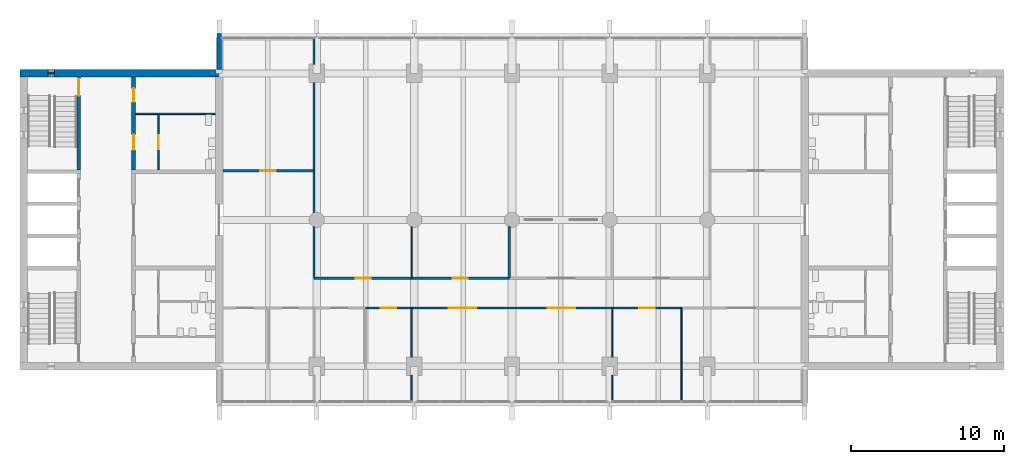
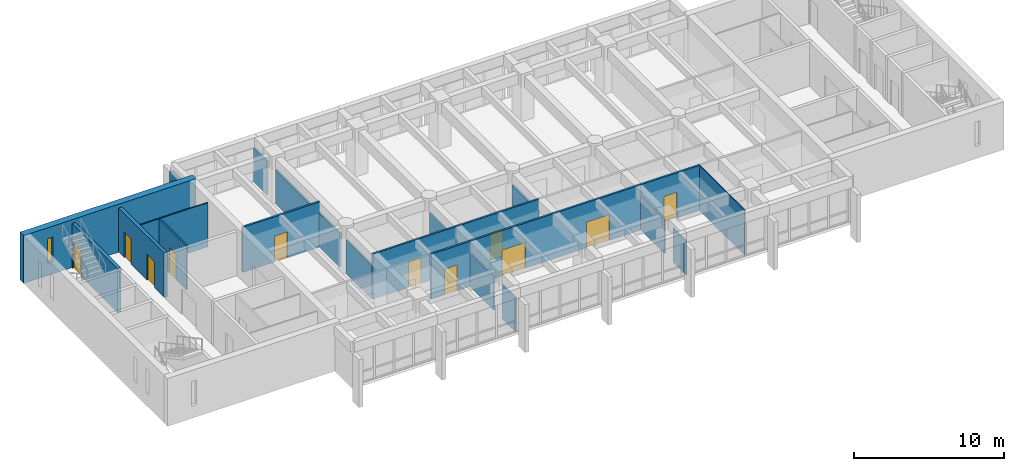
# One storey, part 10 of 15: 22 walls, 11 doors, 1 window, 12 openings.
"""IFC4 building model written with IfcOpenShell, lengths in metres."""

from ifc_helpers import new_model, si_unit, direction, frame, frame_2d, origin, place, context, subcontext, project, spatial, rectangle, extrude, material, layer, layer_set, type_object, element, fill, save


model = new_model("IFC4")

# Units and contexts
model_context = context("Model", 3, precision=1e-05, world=origin(), true_north=direction((0.0, 1.0)))
body_context = subcontext(model_context, "Body", "Model", "MODEL_VIEW")
ifc_project = project(units=[si_unit("LENGTHUNIT", "METRE"), si_unit("AREAUNIT", "SQUARE_METRE"), si_unit("VOLUMEUNIT", "CUBIC_METRE"), si_unit("PLANEANGLEUNIT", "RADIAN"), si_unit("MASSUNIT", "GRAM", prefix="KILO")], contexts=[model_context])

# Site, building, storey
site_placement = place(None, origin())
site = spatial("IfcSite", under=ifc_project, at=site_placement, CompositionType="ELEMENT")
building_placement = place(site_placement, origin())
building = spatial("IfcBuilding", under=site, at=building_placement, Name="Fogon Plaza Fire Station and Headquarters Tower", CompositionType="ELEMENT")
storey_placement = place(building_placement, frame((0.0, 0.0, 28.800048828125)))
storey = spatial("IfcBuildingStorey", under=building, at=storey_placement, Name="L07", CompositionType="ELEMENT", Elevation=28.800048828125)

# Wall, opening, door
ifc_material_1 = material(Name="Concrete C40", Category="concrete")
ifc_layer_1 = layer(ifc_material_1, 0.25)
ifc_layer_set_1 = layer_set([ifc_layer_1], Name="Concrete C40")
wall_type_1 = type_object("IfcWallType", Name="Core Wall RC 250", PredefinedType="SOLIDWALL", material=ifc_layer_set_1)
wall_1_placement = place(storey_placement, frame((16.39990234375, 46.47509765625, 0.0), z_axis=(0.0, 0.0, 1.0), x_axis=(0.0, 1.0, 0.0)))
wall_1 = element("IfcWall", 1, at=wall_1_placement, inside=storey, type_object=wall_type_1, Name="Core A shaft wall", PredefinedType="SOLIDWALL", context=body_context, shape_type="SweptSolid", body=[
    extrude(rectangle(XDim=6.074951171875, YDim=0.25, at=frame_2d((3.03759765625, 0.0))), origin(), (0.0, 0.0, 1.0), 3.599853515625),
])
opening_1_placement = place(wall_1_placement, frame((4.875, 0.0, 0.0)))
opening_1 = element("IfcOpeningElement", 2, at=opening_1_placement, cuts=wall_1, Name="Opening L07-D02", PredefinedType="OPENING", context=body_context, shape_type="SweptSolid", body=[
    extrude(rectangle(XDim=1.10009765625, YDim=2.10009765625, at=frame_2d((0.550048828125, 1.050048828125))), frame((0.0, 0.135009765625, 0.0), z_axis=(0.0, -1.0, 0.0), x_axis=(1.0, 0.0, 0.0)), (0.0, 0.0, 1.0), 0.27001953125),
])
ifc_material_2 = material(Name="Steel Fire Door Leaf", Category="steel")
door_type_1 = type_object("IfcDoorType", Name="Stair Door Single 1100x2100", OperationType="SINGLE_SWING_LEFT", PredefinedType="DOOR", material=ifc_material_2)
door_1_placement = place(opening_1_placement, origin())
door_1 = element("IfcDoor", 3, at=door_1_placement, inside=storey, type_object=door_type_1, Name="Stair door ST2", OperationType="SINGLE_SWING_RIGHT", OverallHeight=2.10009765625, OverallWidth=1.10009765625, PredefinedType="DOOR", context=body_context, shape_type="SweptSolid", body=[
    extrude(rectangle(XDim=1.10009765625, YDim=2.10009765625, at=frame_2d((0.550048828125, 1.050048828125))), frame((0.0, 0.02490234375, 0.0), z_axis=(0.0, -1.0, 0.0), x_axis=(1.0, 0.0, 0.0)), (0.0, 0.0, 1.0), 0.050048828125),
])
fill(opening_1, door_1)

# Wall, openings, doors
wall_2_placement = place(storey_placement, frame((20.0, 46.47509765625, 0.0), z_axis=(0.0, 0.0, 1.0), x_axis=(0.0, 1.0, 0.0)))
wall_2 = element("IfcWall", 4, at=wall_2_placement, inside=storey, type_object=wall_type_1, Name="Core A shaft wall", PredefinedType="SOLIDWALL", context=body_context, shape_type="SweptSolid", body=[
    extrude(rectangle(XDim=6.074951171875, YDim=0.25, at=frame_2d((3.03759765625, 0.0))), origin(), (0.0, 0.0, 1.0), 3.599853515625),
])
opening_2_placement = place(wall_2_placement, frame((1.3125, 0.0, 0.0)))
opening_2 = element("IfcOpeningElement", 5, at=opening_2_placement, cuts=wall_2, Name="Opening L07-D12", PredefinedType="OPENING", context=body_context, shape_type="SweptSolid", body=[
    extrude(rectangle(XDim=1.0, YDim=2.10009765625, at=frame_2d((0.5, 1.050048828125))), frame((0.0, 0.135009765625, 0.0), z_axis=(0.0, -1.0, 0.0), x_axis=(1.0, 0.0, 0.0)), (0.0, 0.0, 1.0), 0.27001953125),
])
opening_3_placement = place(wall_2_placement, frame((4.449951171875, 0.0, 0.0)))
opening_3 = element("IfcOpeningElement", 6, at=opening_3_placement, cuts=wall_2, Name="Opening L07-D14", PredefinedType="OPENING", context=body_context, shape_type="SweptSolid", body=[
    extrude(rectangle(XDim=0.89990234375, YDim=2.10009765625, at=frame_2d((0.449951171875, 1.050048828125))), frame((0.0, 0.135009765625, 0.0), z_axis=(0.0, -1.0, 0.0), x_axis=(1.0, 0.0, 0.0)), (0.0, 0.0, 1.0), 0.27001953125),
])
ifc_material_3 = material(Name="Steel Fire Door Leaf", Category="steel")
door_type_2 = type_object("IfcDoorType", Name="Riser Single 900x2100", OperationType="SINGLE_SWING_LEFT", PredefinedType="DOOR", material=ifc_material_3)
door_2_placement = place(opening_3_placement, frame((0.89990234375, 0.0, 0.0), z_axis=(0.0, 0.0, 1.0), x_axis=(-1.0, 0.0, 0.0)))
door_2 = element("IfcDoor", 7, at=door_2_placement, inside=storey, type_object=door_type_2, Name="Riser room A door", OperationType="SINGLE_SWING_RIGHT", OverallHeight=2.10009765625, OverallWidth=0.89990234375, PredefinedType="DOOR", context=body_context, shape_type="SweptSolid", body=[
    extrude(rectangle(XDim=0.89990234375, YDim=2.10009765625, at=frame_2d((0.449951171875, 1.050048828125))), frame((0.0, 0.02490234375, 0.0), z_axis=(0.0, -1.0, 0.0), x_axis=(1.0, 0.0, 0.0)), (0.0, 0.0, 1.0), 0.050048828125),
])
fill(opening_3, door_2)
ifc_material_4 = material(Name="Timber fire door", Category="wood")
door_type_3 = type_object("IfcDoorType", Name="WC Lobby Single 1000x2100", OperationType="SINGLE_SWING_LEFT", PredefinedType="DOOR", material=ifc_material_4)
door_3_placement = place(opening_2_placement, frame((1.0, 0.0, 0.0), z_axis=(0.0, 0.0, 1.0), x_axis=(-1.0, 0.0, 0.0)))
door_3 = element("IfcDoor", 8, at=door_3_placement, inside=storey, type_object=door_type_3, Name="Women's WC lobby A door", OperationType="SINGLE_SWING_RIGHT", OverallHeight=2.10009765625, OverallWidth=1.0, PredefinedType="DOOR", context=body_context, shape_type="SweptSolid", body=[
    extrude(rectangle(XDim=1.0, YDim=2.10009765625, at=frame_2d((0.5, 1.050048828125))), frame((0.0, 0.02490234375, 0.0), z_axis=(0.0, -1.0, 0.0), x_axis=(1.0, 0.0, 0.0)), (0.0, 0.0, 1.0), 0.050048828125),
])
fill(opening_2, door_3)

# Wall
ifc_material_5 = material(Name="Concrete C40", Category="concrete")
ifc_layer_2 = layer(ifc_material_5, 0.300048828125)
ifc_layer_set_2 = layer_set([ifc_layer_2], Name="Concrete C40")
wall_type_2 = type_object("IfcWallType", Name="Fair-faced RC Return Panel 300", PredefinedType="SOLIDWALL", material=ifc_layer_set_2)
wall_3_placement = place(storey_placement, frame((25.60009765625, 53.050048828125, 0.0), z_axis=(0.0, 0.0, 1.0), x_axis=(0.0, 1.0, 0.0)))
element("IfcWall", 9, at=wall_3_placement, inside=storey, type_object=wall_type_2, Name="Bar end return WN L07", PredefinedType="SOLIDWALL", context=body_context, shape_type="SweptSolid", body=[
    extrude(rectangle(XDim=2.349853515625, YDim=0.300048828125, at=frame_2d((1.1748046875, 0.0))), origin(), (0.0, 0.0, 1.0), 2.8798828125),
])

# Wall, opening, door
ifc_material_6 = material(Name="Blockwork", Category="masonry")
ifc_layer_3 = layer(ifc_material_6, 0.10009765625)
ifc_layer_set_3 = layer_set([ifc_layer_3], Name="Blockwork")
wall_type_3 = type_object("IfcWallType", Name="Partition Blockwork 100", PredefinedType="PARTITIONING", material=ifc_layer_set_3)
wall_4_placement = place(storey_placement, frame((21.625, 46.47509765625, 0.0), z_axis=(0.0, 0.0, 1.0), x_axis=(0.0, 1.0, 0.0)))
wall_4 = element("IfcWall", 10, at=wall_4_placement, inside=storey, type_object=wall_type_3, Name="WC block partition", PredefinedType="PARTITIONING", context=body_context, shape_type="SweptSolid", body=[
    extrude(rectangle(XDim=3.625, YDim=0.10009765625, at=frame_2d((1.8125, 0.0))), origin(), (0.0, 0.0, 1.0), 3.599853515625),
])
opening_4_placement = place(wall_4_placement, frame((1.362548828125, 0.0, 0.0)))
opening_4 = element("IfcOpeningElement", 11, at=opening_4_placement, cuts=wall_4, Name="Opening L07-D13", PredefinedType="OPENING", context=body_context, shape_type="SweptSolid", body=[
    extrude(rectangle(XDim=0.89990234375, YDim=2.10009765625, at=frame_2d((0.449951171875, 1.050048828125))), frame((0.0, 0.06005859375, 0.0), z_axis=(0.0, -1.0, 0.0), x_axis=(1.0, 0.0, 0.0)), (0.0, 0.0, 1.0), 0.1201171875),
])
ifc_material_7 = material(Name="Timber Door Leaf", Category="wood")
door_type_4 = type_object("IfcDoorType", Name="WC Single 900x2100", OperationType="SINGLE_SWING_LEFT", PredefinedType="DOOR", material=ifc_material_7)
door_4_placement = place(opening_4_placement, frame((0.89990234375, 0.0, 0.0), z_axis=(0.0, 0.0, 1.0), x_axis=(-1.0, 0.0, 0.0)))
door_4 = element("IfcDoor", 12, at=door_4_placement, inside=storey, type_object=door_type_4, Name="Women's WC A door", OperationType="SINGLE_SWING_LEFT", OverallHeight=2.10009765625, OverallWidth=0.89990234375, PredefinedType="DOOR", context=body_context, shape_type="SweptSolid", body=[
    extrude(rectangle(XDim=0.89990234375, YDim=2.10009765625, at=frame_2d((0.449951171875, 1.050048828125))), frame((0.0, 0.02490234375, 0.0), z_axis=(0.0, -1.0, 0.0), x_axis=(1.0, 0.0, 0.0)), (0.0, 0.0, 1.0), 0.050048828125),
])
fill(opening_4, door_4)

# Wall
ifc_material_8 = material(Name="Blockwork", Category="masonry")
ifc_layer_4 = layer(ifc_material_8, 0.10009765625)
ifc_layer_set_4 = layer_set([ifc_layer_4], Name="Blockwork")
wall_type_4 = type_object("IfcWallType", Name="Riser Partition Blockwork 100", PredefinedType="PARTITIONING", material=ifc_layer_set_4)
wall_5_placement = place(storey_placement, frame((20.125, 50.14990234375, 0.0), z_axis=(0.0, 0.0, 1.0), x_axis=(1.0, 0.0, 0.0)))
element("IfcWall", 13, at=wall_5_placement, inside=storey, type_object=wall_type_4, Name="Riser room partition", PredefinedType="PARTITIONING", context=body_context, shape_type="SweptSolid", body=[
    extrude(rectangle(XDim=5.22509765625, YDim=0.10009765625, at=frame_2d((2.612548828125, 0.0))), origin(), (0.0, 0.0, 1.0), 3.599853515625),
])

# Wall, opening, window
ifc_material_9 = material(Name="Concrete C40", Category="concrete")
ifc_layer_5 = layer(ifc_material_9, 0.5)
ifc_layer_set_5 = layer_set([ifc_layer_5], Name="Concrete C40")
wall_type_5 = type_object("IfcWallType", Name="Shear wall 500 SW50", PredefinedType="SHEAR", material=ifc_layer_set_5)
wall_6_placement = place(storey_placement, frame((12.550048828125, 52.800048828125, 0.0), z_axis=(0.0, 0.0, 1.0), x_axis=(1.0, 0.0, 0.0)))
wall_6 = element("IfcWall", 14, at=wall_6_placement, inside=storey, type_object=wall_type_5, Name="wall-coreA-N-L07", PredefinedType="SHEAR", context=body_context, shape_type="SweptSolid", body=[
    extrude(rectangle(XDim=13.300048828125, YDim=0.5, at=frame_2d((6.64990234375, 0.0))), origin(), (0.0, 0.0, 1.0), 3.89990234375),
])
opening_5_placement = place(wall_6_placement, frame((1.85009765625, 0.0, 1.0)))
opening_5 = element("IfcOpeningElement", 15, at=opening_5_placement, cuts=wall_6, Name="Opening WS1", PredefinedType="OPENING", context=body_context, shape_type="SweptSolid", body=[
    extrude(rectangle(XDim=0.39990234375, YDim=2.0, at=frame_2d((0.199951171875, 1.0))), frame((0.0, 0.260009765625, 0.0), z_axis=(0.0, -1.0, 0.0), x_axis=(1.0, 0.0, 0.0)), (0.0, 0.0, 1.0), 0.52001953125),
])
ifc_material_10 = material(Name="Aluminium framed double glazing", Category="aluminium")
window_type = type_object("IfcWindowType", Name="Slit Window WS1 400x2000", PartitioningType="SINGLE_PANEL", PredefinedType="WINDOW", material=ifc_material_10)
window_placement = place(opening_5_placement, origin())
window = element("IfcWindow", 16, at=window_placement, inside=storey, type_object=window_type, Name="Slit window A6 L07", OverallHeight=2.0, OverallWidth=0.39990234375, PartitioningType="SINGLE_PANEL", PredefinedType="WINDOW", context=body_context, shape_type="SweptSolid", body=[
    extrude(rectangle(XDim=0.39990234375, YDim=2.0, at=frame_2d((0.199951171875, 1.0))), frame((0.0, 0.030029296875, 0.0), z_axis=(0.0, -1.0, 0.0), x_axis=(1.0, 0.0, 0.0)), (0.0, 0.0, 1.0), 0.06005859375),
])
fill(opening_5, window)

# Wall, opening, door
ifc_material_11 = material(Name="Gypsum board on steel stud", Category="steel")
ifc_layer_6 = layer(ifc_material_11, 0.14990234375)
ifc_layer_set_6 = layer_set([ifc_layer_6], Name="Gypsum board on steel stud")
wall_type_6 = type_object("IfcWallType", Name="Tower corridor partition 150 EI 60", PredefinedType="PARTITIONING", material=ifc_layer_set_6)
wall_7_placement = place(storey_placement, frame((35.199951171875, 37.425048828125, 0.0), z_axis=(0.0, 0.0, 1.0), x_axis=(1.0, 0.0, 0.0)))
wall_7 = element("IfcWall", 17, at=wall_7_placement, inside=storey, type_object=wall_type_6, Name="part-L07-04", PredefinedType="PARTITIONING", context=body_context, shape_type="SweptSolid", body=[
    extrude(rectangle(XDim=3.02001953125, YDim=0.14990234375, at=frame_2d((1.510009765625, 0.0))), origin(), (0.0, 0.0, 1.0), 3.679931640625),
])
opening_6_placement = place(wall_7_placement, frame((1.0, 0.0, 0.0)))
opening_6 = element("IfcOpeningElement", 18, at=opening_6_placement, cuts=wall_7, Name="Opening L07-D32", PredefinedType="OPENING", context=body_context, shape_type="SweptSolid", body=[
    extrude(rectangle(XDim=1.0, YDim=2.10009765625, at=frame_2d((0.5, 1.050048828125))), frame((0.0, 0.0849609375, 0.0), z_axis=(0.0, -1.0, 0.0), x_axis=(1.0, 0.0, 0.0)), (0.0, 0.0, 1.0), 0.169921875),
])
ifc_material_12 = material(Name="Timber fire door", Category="wood")
door_type_5 = type_object("IfcDoorType", Name="Tower fire door single 1000 EI 20", OperationType="SINGLE_SWING_LEFT", PredefinedType="DOOR", material=ifc_material_12)
door_5_placement = place(opening_6_placement, frame((1.0, 0.0, 0.0), z_axis=(0.0, 0.0, 1.0), x_axis=(-1.0, 0.0, 0.0)))
door_5 = element("IfcDoor", 19, at=door_5_placement, inside=storey, type_object=door_type_5, Name="door-L07-04", OperationType="SINGLE_SWING_RIGHT", OverallHeight=2.10009765625, OverallWidth=1.0, PredefinedType="DOOR", context=body_context, shape_type="SweptSolid", body=[
    extrude(rectangle(XDim=1.0, YDim=2.10009765625, at=frame_2d((0.5, 1.050048828125))), frame((0.0, 0.02490234375, 0.0), z_axis=(0.0, -1.0, 0.0), x_axis=(1.0, 0.0, 0.0)), (0.0, 0.0, 1.0), 0.050048828125),
])
fill(opening_6, door_5)

# Wall, openings, doors
wall_8_placement = place(storey_placement, frame((38.219970703125, 37.425048828125, 0.0), z_axis=(0.0, 0.0, 1.0), x_axis=(1.0, 0.0, 0.0)))
wall_8 = element("IfcWall", 20, at=wall_8_placement, inside=storey, type_object=wall_type_6, Name="part-L07-05", PredefinedType="PARTITIONING", context=body_context, shape_type="SweptSolid", body=[
    extrude(rectangle(XDim=13.159912109375, YDim=0.14990234375, at=frame_2d((6.580078125, 0.0))), origin(), (0.0, 0.0, 1.0), 3.679931640625),
])
opening_7_placement = place(wall_8_placement, frame((2.429931640625, 0.0, 0.0)))
opening_7 = element("IfcOpeningElement", 21, at=opening_7_placement, cuts=wall_8, Name="Opening L07-D33", PredefinedType="OPENING", context=body_context, shape_type="SweptSolid", body=[
    extrude(rectangle(XDim=1.800048828125, YDim=2.10009765625, at=frame_2d((0.89990234375, 1.050048828125))), frame((0.0, 0.0849609375, 0.0), z_axis=(0.0, -1.0, 0.0), x_axis=(1.0, 0.0, 0.0)), (0.0, 0.0, 1.0), 0.169921875),
])
opening_8_placement = place(wall_8_placement, frame((8.929931640625, 0.0, 0.0)))
opening_8 = element("IfcOpeningElement", 22, at=opening_8_placement, cuts=wall_8, Name="Opening L07-D34", PredefinedType="OPENING", context=body_context, shape_type="SweptSolid", body=[
    extrude(rectangle(XDim=1.800048828125, YDim=2.10009765625, at=frame_2d((0.89990234375, 1.050048828125))), frame((0.0, 0.0849609375, 0.0), z_axis=(0.0, -1.0, 0.0), x_axis=(1.0, 0.0, 0.0)), (0.0, 0.0, 1.0), 0.169921875),
])
ifc_material_13 = material(Name="Timber fire door", Category="wood")
door_type_6 = type_object("IfcDoorType", Name="Tower fire door double 1800 EI 20", OperationType="DOUBLE_DOOR_SINGLE_SWING", PredefinedType="DOOR", material=ifc_material_13)
door_6_placement = place(opening_7_placement, frame((1.800048828125, 0.0, 0.0), z_axis=(0.0, 0.0, 1.0), x_axis=(-1.0, 0.0, 0.0)))
door_6 = element("IfcDoor", 23, at=door_6_placement, inside=storey, type_object=door_type_6, Name="door-L07-05", OperationType="DOUBLE_DOOR_SINGLE_SWING", OverallHeight=2.10009765625, OverallWidth=1.800048828125, PredefinedType="DOOR", context=body_context, shape_type="SweptSolid", body=[
    extrude(rectangle(XDim=1.800048828125, YDim=2.10009765625, at=frame_2d((0.89990234375, 1.050048828125))), frame((0.0, 0.02490234375, 0.0), z_axis=(0.0, -1.0, 0.0), x_axis=(1.0, 0.0, 0.0)), (0.0, 0.0, 1.0), 0.050048828125),
])
fill(opening_7, door_6)
door_7_placement = place(opening_8_placement, frame((1.800048828125, 0.0, 0.0), z_axis=(0.0, 0.0, 1.0), x_axis=(-1.0, 0.0, 0.0)))
door_7 = element("IfcDoor", 24, at=door_7_placement, inside=storey, type_object=door_type_6, Name="door-L07-06", OperationType="DOUBLE_DOOR_SINGLE_SWING", OverallHeight=2.10009765625, OverallWidth=1.800048828125, PredefinedType="DOOR", context=body_context, shape_type="SweptSolid", body=[
    extrude(rectangle(XDim=1.800048828125, YDim=2.10009765625, at=frame_2d((0.89990234375, 1.050048828125))), frame((0.0, 0.02490234375, 0.0), z_axis=(0.0, -1.0, 0.0), x_axis=(1.0, 0.0, 0.0)), (0.0, 0.0, 1.0), 0.050048828125),
])
fill(opening_8, door_7)

# Wall, opening, door
wall_9_placement = place(storey_placement, frame((51.3798828125, 37.425048828125, 0.0), z_axis=(0.0, 0.0, 1.0), x_axis=(1.0, 0.0, 0.0)))
wall_9 = element("IfcWall", 25, at=wall_9_placement, inside=storey, type_object=wall_type_6, Name="part-L07-06", PredefinedType="PARTITIONING", context=body_context, shape_type="SweptSolid", body=[
    extrude(rectangle(XDim=4.530029296875, YDim=0.14990234375, at=frame_2d((2.26513671875, 0.0))), origin(), (0.0, 0.0, 1.0), 3.679931640625),
])
opening_9_placement = place(wall_9_placement, frame((1.77001953125, 0.0, 0.0)))
opening_9 = element("IfcOpeningElement", 26, at=opening_9_placement, cuts=wall_9, Name="Opening L07-D35", PredefinedType="OPENING", context=body_context, shape_type="SweptSolid", body=[
    extrude(rectangle(XDim=1.0, YDim=2.10009765625, at=frame_2d((0.5, 1.050048828125))), frame((0.0, 0.0849609375, 0.0), z_axis=(0.0, -1.0, 0.0), x_axis=(1.0, 0.0, 0.0)), (0.0, 0.0, 1.0), 0.169921875),
])
ifc_material_14 = material(Name="Fire rated glazed door")
door_type_7 = type_object("IfcDoorType", Name="Tower glazed fire door single 1000 EI 20", OperationType="SINGLE_SWING_LEFT", PredefinedType="DOOR", material=ifc_material_14)
door_8_placement = place(opening_9_placement, frame((1.0, 0.0, 0.0), z_axis=(0.0, 0.0, 1.0), x_axis=(-1.0, 0.0, 0.0)))
door_8 = element("IfcDoor", 27, at=door_8_placement, inside=storey, type_object=door_type_7, Name="door-L07-07", OperationType="SINGLE_SWING_LEFT", OverallHeight=2.10009765625, OverallWidth=1.0, PredefinedType="DOOR", context=body_context, shape_type="SweptSolid", body=[
    extrude(rectangle(XDim=1.0, YDim=2.10009765625, at=frame_2d((0.5, 1.050048828125))), frame((0.0, 0.02490234375, 0.0), z_axis=(0.0, -1.0, 0.0), x_axis=(1.0, 0.0, 0.0)), (0.0, 0.0, 1.0), 0.050048828125),
])
fill(opening_9, door_8)

wall_10_placement = place(storey_placement, frame((31.820068359375, 39.375, 0.0), z_axis=(0.0, 0.0, 1.0), x_axis=(1.0, 0.0, 0.0)))
wall_10 = element("IfcWall", 28, at=wall_10_placement, inside=storey, type_object=wall_type_6, Name="part-L07-17", PredefinedType="PARTITIONING", context=body_context, shape_type="SweptSolid", body=[
    extrude(rectangle(XDim=6.39990234375, YDim=0.14990234375, at=frame_2d((3.199951171875, 0.0))), origin(), (0.0, 0.0, 1.0), 3.679931640625),
])
opening_10_placement = place(wall_10_placement, frame((2.72998046875, 0.0, 0.0)))
opening_10 = element("IfcOpeningElement", 29, at=opening_10_placement, cuts=wall_10, Name="Opening L07-D37", PredefinedType="OPENING", context=body_context, shape_type="SweptSolid", body=[
    extrude(rectangle(XDim=1.0, YDim=2.10009765625, at=frame_2d((0.5, 1.050048828125))), frame((0.0, 0.0849609375, 0.0), z_axis=(0.0, -1.0, 0.0), x_axis=(1.0, 0.0, 0.0)), (0.0, 0.0, 1.0), 0.169921875),
])
door_9_placement = place(opening_10_placement, origin())
door_9 = element("IfcDoor", 30, at=door_9_placement, inside=storey, type_object=door_type_7, Name="door-L07-09", OperationType="SINGLE_SWING_LEFT", OverallHeight=2.10009765625, OverallWidth=1.0, PredefinedType="DOOR", context=body_context, shape_type="SweptSolid", body=[
    extrude(rectangle(XDim=1.0, YDim=2.10009765625, at=frame_2d((0.5, 1.050048828125))), frame((0.0, 0.02490234375, 0.0), z_axis=(0.0, -1.0, 0.0), x_axis=(1.0, 0.0, 0.0)), (0.0, 0.0, 1.0), 0.050048828125),
])
fill(opening_10, door_9)

wall_11_placement = place(storey_placement, frame((38.219970703125, 39.375, 0.0), z_axis=(0.0, 0.0, 1.0), x_axis=(1.0, 0.0, 0.0)))
wall_11 = element("IfcWall", 31, at=wall_11_placement, inside=storey, type_object=wall_type_6, Name="part-L07-18", PredefinedType="PARTITIONING", context=body_context, shape_type="SweptSolid", body=[
    extrude(rectangle(XDim=6.400146484375, YDim=0.14990234375, at=frame_2d((3.2001953125, 0.0))), origin(), (0.0, 0.0, 1.0), 3.679931640625),
])
opening_11_placement = place(wall_11_placement, frame((2.679931640625, 0.0, 0.0)))
opening_11 = element("IfcOpeningElement", 32, at=opening_11_placement, cuts=wall_11, Name="Opening L07-D38", PredefinedType="OPENING", context=body_context, shape_type="SweptSolid", body=[
    extrude(rectangle(XDim=1.0, YDim=2.10009765625, at=frame_2d((0.5, 1.050048828125))), frame((0.0, 0.0849609375, 0.0), z_axis=(0.0, -1.0, 0.0), x_axis=(1.0, 0.0, 0.0)), (0.0, 0.0, 1.0), 0.169921875),
])
door_10_placement = place(opening_11_placement, origin())
door_10 = element("IfcDoor", 33, at=door_10_placement, inside=storey, type_object=door_type_7, Name="door-L07-10", OperationType="SINGLE_SWING_RIGHT", OverallHeight=2.10009765625, OverallWidth=1.0, PredefinedType="DOOR", context=body_context, shape_type="SweptSolid", body=[
    extrude(rectangle(XDim=1.0, YDim=2.10009765625, at=frame_2d((0.5, 1.050048828125))), frame((0.0, 0.02490234375, 0.0), z_axis=(0.0, -1.0, 0.0), x_axis=(1.0, 0.0, 0.0)), (0.0, 0.0, 1.0), 0.050048828125),
])
fill(opening_11, door_10)

wall_12_placement = place(storey_placement, frame((25.85009765625, 46.425048828125, 0.0), z_axis=(0.0, 0.0, 1.0), x_axis=(1.0, 0.0, 0.0)))
wall_12 = element("IfcWall", 34, at=wall_12_placement, inside=storey, type_object=wall_type_6, Name="part-L07-25", PredefinedType="PARTITIONING", context=body_context, shape_type="SweptSolid", body=[
    extrude(rectangle(XDim=5.969970703125, YDim=0.14990234375, at=frame_2d((2.98486328125, 0.0))), origin(), (0.0, 0.0, 1.0), 3.679931640625),
])
opening_12_placement = place(wall_12_placement, frame((2.449951171875, 0.0, 0.0)))
opening_12 = element("IfcOpeningElement", 35, at=opening_12_placement, cuts=wall_12, Name="Opening L07-D41", PredefinedType="OPENING", context=body_context, shape_type="SweptSolid", body=[
    extrude(rectangle(XDim=1.0, YDim=2.10009765625, at=frame_2d((0.5, 1.050048828125))), frame((0.0, 0.0849609375, 0.0), z_axis=(0.0, -1.0, 0.0), x_axis=(1.0, 0.0, 0.0)), (0.0, 0.0, 1.0), 0.169921875),
])
door_11_placement = place(opening_12_placement, origin())
door_11 = element("IfcDoor", 36, at=door_11_placement, inside=storey, type_object=door_type_5, Name="door-L07-13", OperationType="SINGLE_SWING_RIGHT", OverallHeight=2.10009765625, OverallWidth=1.0, PredefinedType="DOOR", context=body_context, shape_type="SweptSolid", body=[
    extrude(rectangle(XDim=1.0, YDim=2.10009765625, at=frame_2d((0.5, 1.050048828125))), frame((0.0, 0.02490234375, 0.0), z_axis=(0.0, -1.0, 0.0), x_axis=(1.0, 0.0, 0.0)), (0.0, 0.0, 1.0), 0.050048828125),
])
fill(opening_12, door_11)

# Walls
ifc_material_15 = material(Name="Gypsum board on steel stud", Category="steel")
ifc_layer_7 = layer(ifc_material_15, 0.14990234375)
ifc_layer_set_7 = layer_set([ifc_layer_7], Name="Gypsum board on steel stud")
wall_type_7 = type_object("IfcWallType", Name="Tower corridor partition 150 EI 60 Beam Head 900", PredefinedType="PARTITIONING", material=ifc_layer_set_7)
for number, where, z_axis, x_axis, name in (
    (37, (44.6201171875, 39.375, 0.0), (0.0, 0.0, 1.0), (0.0, 1.0, 0.0), "part-L07-22"),
    (38, (31.820068359375, 39.375, 0.0), (0.0, 0.0, 1.0), (0.0, 1.0, 0.0), "part-L07-26"),
):
    element("IfcWall", number, at=place(storey_placement, frame(where, z_axis=z_axis, x_axis=x_axis)), inside=storey, type_object=wall_type_7, Name=name, PredefinedType="PARTITIONING", context=body_context, shape_type="SweptSolid", body=[
        extrude(rectangle(XDim=3.37841796875, YDim=0.14990234375, at=frame_2d((1.689208984375, 0.0))), origin(), (0.0, 0.0, 1.0), 2.780029296875),
    ])
wall_13_placement = place(storey_placement, frame((31.820068359375, 43.646484375, 0.0), z_axis=(0.0, 0.0, 1.0), x_axis=(0.0, 1.0, 0.0)))
element("IfcWall", 39, at=wall_13_placement, inside=storey, type_object=wall_type_7, Name="part-L07-27", PredefinedType="PARTITIONING", context=body_context, shape_type="SweptSolid", body=[
    extrude(rectangle(XDim=8.573486328125, YDim=0.14990234375, at=frame_2d((4.28662109375, 0.0))), origin(), (0.0, 0.0, 1.0), 2.780029296875),
])
wall_14_placement = place(storey_placement, frame((31.820068359375, 53.3798828125, 0.0), z_axis=(0.0, 0.0, 1.0), x_axis=(0.0, 1.0, 0.0)))
element("IfcWall", 40, at=wall_14_placement, inside=storey, type_object=wall_type_7, Name="part-L07-28", PredefinedType="PARTITIONING", context=body_context, shape_type="SweptSolid", body=[
    extrude(rectangle(XDim=1.72021484375, YDim=0.14990234375, at=frame_2d((0.860107421875, 0.0))), origin(), (0.0, 0.0, 1.0), 2.780029296875),
])
ifc_material_16 = material(Name="Glazed aluminium partition", Category="aluminium")
ifc_layer_8 = layer(ifc_material_16, 0.074951171875)
ifc_layer_set_8 = layer_set([ifc_layer_8], Name="Glazed aluminium partition")
wall_type_8 = type_object("IfcWallType", Name="Tower glazed partition 75", PredefinedType="PARTITIONING", material=ifc_layer_set_8)
wall_15_placement = place(storey_placement, frame((55.909912109375, 31.300048828125, 0.0), z_axis=(0.0, 0.0, 1.0), x_axis=(0.0, 1.0, 0.0)))
element("IfcWall", 41, at=wall_15_placement, inside=storey, type_object=wall_type_8, Name="part-L07-16", PredefinedType="PARTITIONING", context=body_context, shape_type="SweptSolid", body=[
    extrude(rectangle(XDim=6.125, YDim=0.074951171875, at=frame_2d((3.0625, 0.0))), origin(), (0.0, 0.0, 1.0), 3.679931640625),
])
ifc_material_17 = material(Name="Glazed aluminium partition", Category="aluminium")
ifc_layer_9 = layer(ifc_material_17, 0.074951171875)
ifc_layer_set_9 = layer_set([ifc_layer_9], Name="Glazed aluminium partition")
wall_type_9 = type_object("IfcWallType", Name="Tower glazed partition 75 Beam Head 900", PredefinedType="PARTITIONING", material=ifc_layer_set_9)
wall_16_placement = place(storey_placement, frame((51.3798828125, 31.300048828125, 0.0), z_axis=(0.0, 0.0, 1.0), x_axis=(0.0, 1.0, 0.0)))
element("IfcWall", 42, at=wall_16_placement, inside=storey, type_object=wall_type_9, Name="part-L07-14", PredefinedType="PARTITIONING", context=body_context, shape_type="SweptSolid", body=[
    extrude(rectangle(XDim=1.719970703125, YDim=0.074951171875, at=frame_2d((0.85986328125, 0.0))), origin(), (0.0, 0.0, 1.0), 2.780029296875),
])
wall_17_placement = place(storey_placement, frame((51.3798828125, 34.179931640625, 0.0), z_axis=(0.0, 0.0, 1.0), x_axis=(0.0, 1.0, 0.0)))
element("IfcWall", 43, at=wall_17_placement, inside=storey, type_object=wall_type_9, Name="part-L07-15", PredefinedType="PARTITIONING", context=body_context, shape_type="SweptSolid", body=[
    extrude(rectangle(XDim=3.2451171875, YDim=0.074951171875, at=frame_2d((1.62255859375, 0.0))), origin(), (0.0, 0.0, 1.0), 2.780029296875),
])
wall_18_placement = place(storey_placement, frame((38.219970703125, 39.375, 0.0), z_axis=(0.0, 0.0, 1.0), x_axis=(0.0, 1.0, 0.0)))
element("IfcWall", 44, at=wall_18_placement, inside=storey, type_object=wall_type_9, Name="part-L07-21", PredefinedType="PARTITIONING", context=body_context, shape_type="SweptSolid", body=[
    extrude(rectangle(XDim=3.37841796875, YDim=0.074951171875, at=frame_2d((1.689208984375, 0.0))), origin(), (0.0, 0.0, 1.0), 2.780029296875),
])
ifc_material_18 = material(Name="Gypsum board on steel stud", Category="steel")
ifc_layer_10 = layer(ifc_material_18, 0.10009765625)
ifc_layer_set_10 = layer_set([ifc_layer_10], Name="Gypsum board on steel stud")
wall_type_10 = type_object("IfcWallType", Name="Tower office partition 100 Beam Head 900", PredefinedType="PARTITIONING", material=ifc_layer_set_10)
wall_19_placement = place(storey_placement, frame((38.219970703125, 31.300048828125, 0.0), z_axis=(0.0, 0.0, 1.0), x_axis=(0.0, 1.0, 0.0)))
element("IfcWall", 45, at=wall_19_placement, inside=storey, type_object=wall_type_10, Name="part-L07-12", PredefinedType="PARTITIONING", context=body_context, shape_type="SweptSolid", body=[
    extrude(rectangle(XDim=1.719970703125, YDim=0.10009765625, at=frame_2d((0.85986328125, 0.0))), origin(), (0.0, 0.0, 1.0), 2.780029296875),
])
wall_20_placement = place(storey_placement, frame((38.219970703125, 34.179931640625, 0.0), z_axis=(0.0, 0.0, 1.0), x_axis=(0.0, 1.0, 0.0)))
element("IfcWall", 46, at=wall_20_placement, inside=storey, type_object=wall_type_10, Name="part-L07-13", PredefinedType="PARTITIONING", context=body_context, shape_type="SweptSolid", body=[
    extrude(rectangle(XDim=3.2451171875, YDim=0.10009765625, at=frame_2d((1.62255859375, 0.0))), origin(), (0.0, 0.0, 1.0), 2.780029296875),
])

save(model, "model.ifc")
